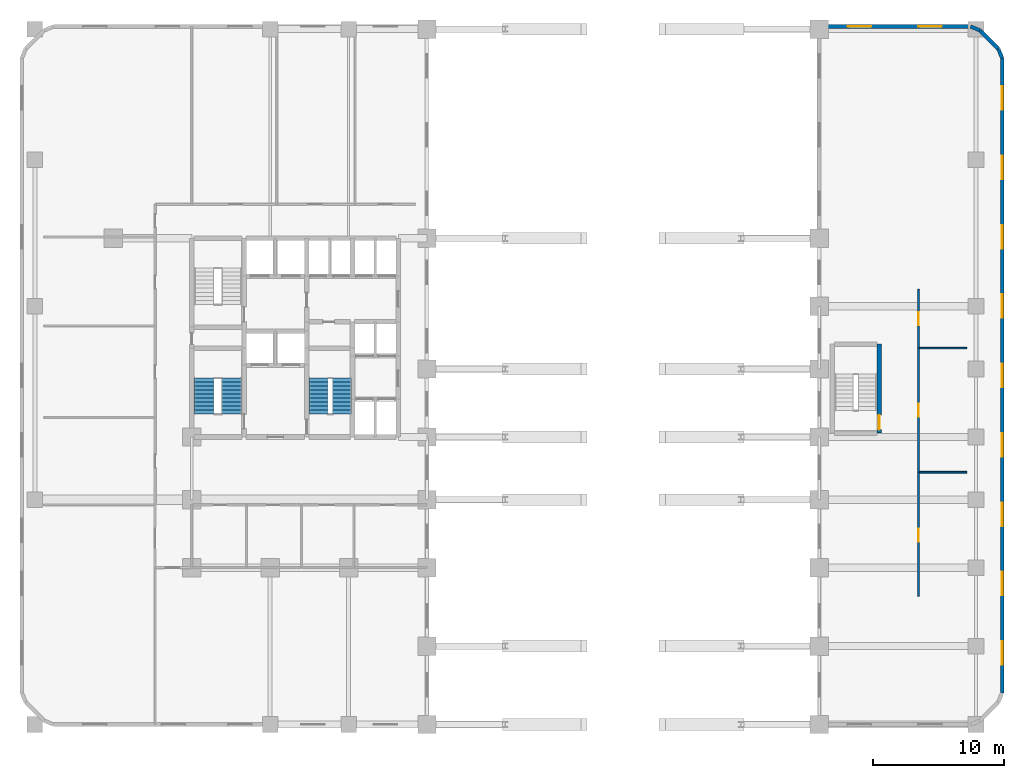
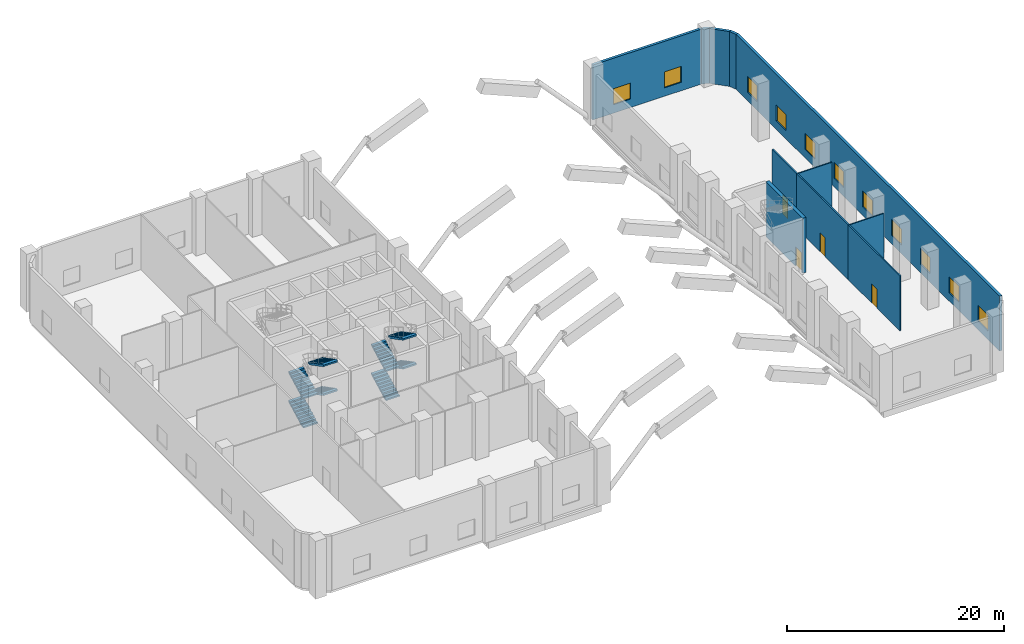
# One storey, part 7 of 10: 11 walls, 11 windows, 8 stair flights, 4 doors, 15 openings, 2 elements without a shape of their own.
"""IFC4 building model written with IfcOpenShell, lengths in metres."""

import ifcopenshell
import ifcopenshell.guid

model = None  # the IFC model being written
_history = None  # IfcOwnerHistory: only IFC2X3 demands one
_inside = {}  # id of a spatial element -> (the spatial element, [elements in it])
_under = {}  # id of a project, library or spatial element -> (it, [spatial elements below it])
_declared = {}  # id of a project -> (the project, [libraries it declares])
_typed = {}  # id of a type object -> (the type object, [elements of that type])
_made_of = {}  # id of a material, layer set ... -> (it, [elements and type objects made of it])


def new_model(schema):
    """Start an empty IFC model of exactly this schema.

    Asked for "IFC4X3", IfcOpenShell would pick the latest addendum, in which some entities
    have other attributes; the version numbers below select the first issue.
    IFC2X3 requires an IfcOwnerHistory on every rooted entity: one is made here for all.
    """
    global model, _history
    if schema == "IFC4X3":
        model = ifcopenshell.file(schema_version=(4, 3, 0, 0))
    else:
        model = ifcopenshell.file(schema=schema)
    _inside.clear()
    _under.clear()
    _declared.clear()
    _typed.clear()
    _made_of.clear()
    _history = None
    if model.schema == "IFC2X3":
        org = make("IfcOrganization", Name="unknown")
        user = make(
            "IfcPersonAndOrganization",
            ThePerson=make("IfcPerson", FamilyName="unknown"),
            TheOrganization=org,
        )
        app = make(
            "IfcApplication",
            ApplicationDeveloper=org,
            Version="unknown",
            ApplicationFullName="unknown",
            ApplicationIdentifier="unknown",
        )
        _history = make(
            "IfcOwnerHistory",
            OwningUser=user,
            OwningApplication=app,
            ChangeAction="ADDED",
            CreationDate=0,
        )
    return model


def make(cls, **values):
    """One entity of the class cls with the attributes given. An attribute that is None is left unset."""
    return model.create_entity(
        cls, **{name: value for name, value in values.items() if value is not None}
    )


def rooted(cls, **values):
    """An entity with a GlobalId (a new one), such as an element, a storey or a relation."""
    return make(cls, GlobalId=ifcopenshell.guid.new(), OwnerHistory=_history, **values)


def si_unit(unit_type, name, prefix=None):
    """IfcSIUnit, for example si_unit("LENGTHUNIT", "METRE", prefix="MILLI")."""
    return make("IfcSIUnit", UnitType=unit_type, Prefix=prefix, Name=name)


def assignment(units):
    """IfcUnitAssignment: the units of a project."""
    return None if units is None else make("IfcUnitAssignment", Units=units)


def point(xyz):
    """IfcCartesianPoint."""
    return None if xyz is None else make("IfcCartesianPoint", Coordinates=xyz)


def direction(xyz):
    """IfcDirection."""
    return None if xyz is None else make("IfcDirection", DirectionRatios=xyz)


def frame(location, z_axis=None, x_axis=None):
    """IfcAxis2Placement3D, a coordinate frame: its origin and axes. An axis left out is left unset."""
    return make(
        "IfcAxis2Placement3D",
        Location=point(location),
        Axis=direction(z_axis),
        RefDirection=direction(x_axis),
    )


def frame_2d(location, x_axis=None):
    """IfcAxis2Placement2D, a coordinate frame in the plane: its origin and x axis."""
    return make(
        "IfcAxis2Placement2D", Location=point(location), RefDirection=direction(x_axis)
    )


def origin():
    """The frame at (0, 0, 0) with its axes left unset."""
    return frame((0.0, 0.0, 0.0))


def place(relative_to, where):
    """IfcLocalPlacement: puts the frame where relative to a parent placement (None: the world)."""
    return make(
        "IfcLocalPlacement", PlacementRelTo=relative_to, RelativePlacement=where
    )


def context(
    kind, dimensions, precision=None, world=None, true_north=None, identifier=None
):
    """IfcGeometricRepresentationContext, for example the 3D "Model" context."""
    return make(
        "IfcGeometricRepresentationContext",
        ContextIdentifier=identifier,
        ContextType=kind,
        CoordinateSpaceDimension=dimensions,
        Precision=precision,
        WorldCoordinateSystem=world,
        TrueNorth=true_north,
    )


def subcontext(parent, identifier, kind, view, scale=None):
    """IfcGeometricRepresentationSubContext, for example "Body" below "Model"."""
    return make(
        "IfcGeometricRepresentationSubContext",
        ContextIdentifier=identifier,
        ContextType=kind,
        ParentContext=parent,
        TargetScale=scale,
        TargetView=view,
    )


def project(units=None, contexts=None):
    """IfcProject with its units and contexts."""
    return rooted(
        "IfcProject",
        Name="project",
        RepresentationContexts=contexts,
        UnitsInContext=assignment(units),
    )


def spatial(cls, under=None, at=None, **own):
    """A site, building, storey or space (cls), placed at a placement, below another one or the project."""
    s = rooted(cls, ObjectPlacement=at, **own)
    if under is not None:
        _under.setdefault(under.id(), (under, []))[1].append(s)
    return s


def polyline(points):
    """IfcPolyline through the points."""
    return make("IfcPolyline", Points=[point(p) for p in points])


def profile(cls, at=None, kind="AREA", **sizes):
    """A parametric profile (cls). Its sizes go by their IFC names, for example OverallWidth=200.0."""
    return make(cls, ProfileType=kind, Position=at, **sizes)


def rectangle(**sizes):
    """IfcRectangleProfileDef."""
    return profile("IfcRectangleProfileDef", **sizes)


def outline(outer, holes=None, kind="AREA"):
    """IfcArbitraryClosedProfileDef: a profile drawn as a closed curve; with holes, ...WithVoids."""
    if holes is None:
        return make("IfcArbitraryClosedProfileDef", ProfileType=kind, OuterCurve=outer)
    return make(
        "IfcArbitraryProfileDefWithVoids",
        ProfileType=kind,
        OuterCurve=outer,
        InnerCurves=holes,
    )


def extrude(swept, where, along, depth):
    """IfcExtrudedAreaSolid: the profile swept, set in the frame where, extruded along a direction by depth."""
    return make(
        "IfcExtrudedAreaSolid",
        SweptArea=swept,
        Position=where,
        ExtrudedDirection=direction(along),
        Depth=depth,
    )


def shape(context_of_items, identifier, shape_type, items):
    """IfcShapeRepresentation: the items that make up one representation, for example the "Body"."""
    return make(
        "IfcShapeRepresentation",
        ContextOfItems=context_of_items,
        RepresentationIdentifier=identifier,
        RepresentationType=shape_type,
        Items=items,
    )


def material(Name=None, Category=None):
    """IfcMaterial."""
    return make("IfcMaterial", Name=Name, Category=Category)


def layer(
    of_material, thickness, ventilated=None, Name=None, Category=None, Priority=None
):
    """IfcMaterialLayer: one layer of a wall or slab, of a material (None: an air gap)."""
    return make(
        "IfcMaterialLayer",
        Material=of_material,
        LayerThickness=thickness,
        IsVentilated=ventilated,
        Name=Name,
        Category=Category,
        Priority=Priority,
    )


def layer_set(layers, Name=None):
    """IfcMaterialLayerSet."""
    return make("IfcMaterialLayerSet", MaterialLayers=layers, LayerSetName=Name)


def made_of(thing, what):
    """Note that an element or type object is made of a material, layer set ...; save() writes the relation."""
    if what is not None:
        _made_of.setdefault(what.id(), (what, []))[1].append(thing)
    return thing


def type_object(cls, material=None, **own):
    """A type object (cls), such as IfcWallType, which elements share."""
    return made_of(rooted(cls, **own), material)


def element(
    cls,
    number,
    at=None,
    inside=None,
    cuts=None,
    type_object=None,
    material=None,
    context=None,
    identifier="Body",
    shape_type=None,
    held_by="IfcProductDefinitionShape",
    body=None,
    shapes=None,
    **own,
):
    """One element of the class cls, such as IfcWall. Its Tag is "e" and its number.

    at: its placement. inside: the storey or other place that contains it. cuts: it is an
    opening in that element (IfcRelVoidsElement). A single representation is given by context,
    identifier, shape_type and body (its items); several are given by shapes. held_by: the class
    of the entity that holds the representations. save() writes the other relations.
    """
    e = rooted(cls, Tag="e%d" % number, ObjectPlacement=at, **own)
    if body is not None:
        shapes = [shape(context, identifier, shape_type, body)]
    if shapes is not None:
        e.Representation = make(held_by, Representations=shapes)
    if inside is not None:
        _inside.setdefault(inside.id(), (inside, []))[1].append(e)
    if cuts is not None:
        rooted(
            "IfcRelVoidsElement", RelatingBuildingElement=cuts, RelatedOpeningElement=e
        )
    if type_object is not None:
        _typed.setdefault(type_object.id(), (type_object, []))[1].append(e)
    return made_of(e, material)


def fill(opening, filler):
    """IfcRelFillsElement: the door or window that sits in an opening."""
    return rooted(
        "IfcRelFillsElement",
        RelatingOpeningElement=opening,
        RelatedBuildingElement=filler,
    )


def aggregate(whole, parts):
    """IfcRelAggregates: a whole, such as a stair, and the parts it consists of."""
    return rooted("IfcRelAggregates", RelatingObject=whole, RelatedObjects=parts)


def save(model, path):
    """Write the relations noted so far, then the file.

    IfcRelAggregates (storeys below a building ...), IfcRelContainedInSpatialStructure (elements
    in a storey), IfcRelDefinesByType, IfcRelAssociatesMaterial and IfcRelDeclares: one each for
    every whole, place, type object, material and project.
    """
    for whole, parts in _under.values():
        aggregate(whole, parts)
    for where, things in _inside.values():
        rooted(
            "IfcRelContainedInSpatialStructure",
            RelatedElements=things,
            RelatingStructure=where,
        )
    for kind, things in _typed.values():
        rooted("IfcRelDefinesByType", RelatedObjects=things, RelatingType=kind)
    for what, things in _made_of.values():
        rooted("IfcRelAssociatesMaterial", RelatedObjects=things, RelatingMaterial=what)
    for by, libraries in _declared.values():
        rooted("IfcRelDeclares", RelatingContext=by, RelatedDefinitions=libraries)
    model.write(path)


model = new_model("IFC4")

# Units and contexts
model_context = context("Model", 3, precision=1e-05, world=origin(), true_north=direction((0.0, 1.0)))
body_context = subcontext(model_context, "Body", "Model", "MODEL_VIEW")
ifc_project = project(units=[si_unit("LENGTHUNIT", "METRE"), si_unit("AREAUNIT", "SQUARE_METRE"), si_unit("VOLUMEUNIT", "CUBIC_METRE"), si_unit("PLANEANGLEUNIT", "RADIAN"), si_unit("MASSUNIT", "GRAM", prefix="KILO")], contexts=[model_context])

# Site, building, storey
site_placement = place(None, origin())
site = spatial("IfcSite", under=ifc_project, at=site_placement, CompositionType="ELEMENT")
building_placement = place(site_placement, origin())
building = spatial("IfcBuilding", under=site, at=building_placement, Name="Keshet Zoharim Tower", CompositionType="ELEMENT")
storey_placement = place(building_placement, frame((0.0, 0.0, 6.5)))
storey = spatial("IfcBuildingStorey", under=building, at=storey_placement, Name="L01", CompositionType="ELEMENT", Elevation=6.5)

# Wall, opening, door
ifc_material_1 = material(Name="Gypsum Plasterboard", Category="gypsum")
ifc_layer_1 = layer(ifc_material_1, 0.14990234375)
ifc_layer_set_1 = layer_set([ifc_layer_1], Name="Gypsum Plasterboard")
wall_type_1 = type_object("IfcWallType", Name="WL-CLIN-150", PredefinedType="STANDARD", material=ifc_layer_set_1)
wall_1_placement = place(storey_placement, frame((70.60009765625, 10.5, 0.0), z_axis=(0.0, 0.0, 1.0), x_axis=(0.0, 1.0, 0.0)))
wall_1 = element("IfcWall", 1, at=wall_1_placement, inside=storey, type_object=wall_type_1, Name="L01 Interior Wall 044", PredefinedType="STANDARD", context=body_context, shape_type="SweptSolid", body=[
    extrude(rectangle(XDim=9.5, YDim=0.14990234375, at=frame_2d((4.75, 0.0))), origin(), (0.0, 0.0, 1.0), 6.169921875),
])
opening_1_placement = place(wall_1_placement, frame((4.178955078125, 0.0, 0.0)))
opening_1 = element("IfcOpeningElement", 2, at=opening_1_placement, cuts=wall_1, Name="Opening D-F310", PredefinedType="OPENING", context=body_context, shape_type="SweptSolid", body=[
    extrude(rectangle(XDim=1.0, YDim=2.14990234375, at=frame_2d((0.5, 1.074951171875))), frame((0.0, 0.0849609375, 0.0), z_axis=(0.0, -1.0, 0.0), x_axis=(1.0, 0.0, 0.0)), (0.0, 0.0, 1.0), 0.169921875),
])
ifc_material_2 = material(Name="Hardwood Timber", Category="wood")
door_type_1 = type_object("IfcDoorType", Name="DR-FD30-100", OperationType="NOTDEFINED", PredefinedType="DOOR", material=ifc_material_2)
door_1_placement = place(opening_1_placement, origin())
door_1 = element("IfcDoor", 3, at=door_1_placement, inside=storey, type_object=door_type_1, Name="L01 Specialist Consultation Room 2 Door", OperationType="SINGLE_SWING_RIGHT", OverallHeight=2.14990234375, OverallWidth=1.0, PredefinedType="DOOR", context=body_context, shape_type="SweptSolid", body=[
    extrude(rectangle(XDim=1.0, YDim=2.14990234375, at=frame_2d((0.5, 1.074951171875))), frame((0.0, 0.02490234375, 0.0), z_axis=(0.0, -1.0, 0.0), x_axis=(1.0, 0.0, 0.0)), (0.0, 0.0, 1.0), 0.050048828125),
])
fill(opening_1, door_1)

wall_2_placement = place(storey_placement, frame((70.60009765625, 20.0, 0.0), z_axis=(0.0, 0.0, 1.0), x_axis=(0.0, 1.0, 0.0)))
wall_2 = element("IfcWall", 4, at=wall_2_placement, inside=storey, type_object=wall_type_1, Name="L01 Interior Wall 045", PredefinedType="STANDARD", context=body_context, shape_type="SweptSolid", body=[
    extrude(rectangle(XDim=9.5, YDim=0.14990234375, at=frame_2d((4.75, 0.0))), origin(), (0.0, 0.0, 1.0), 6.169921875),
])
opening_2_placement = place(wall_2_placement, frame((4.22900390625, 0.0, 0.0)))
opening_2 = element("IfcOpeningElement", 5, at=opening_2_placement, cuts=wall_2, Name="Opening D-F310", PredefinedType="OPENING", context=body_context, shape_type="SweptSolid", body=[
    extrude(rectangle(XDim=1.0, YDim=2.14990234375, at=frame_2d((0.5, 1.074951171875))), frame((0.0, 0.0849609375, 0.0), z_axis=(0.0, -1.0, 0.0), x_axis=(1.0, 0.0, 0.0)), (0.0, 0.0, 1.0), 0.169921875),
])
door_2_placement = place(opening_2_placement, origin())
door_2 = element("IfcDoor", 6, at=door_2_placement, inside=storey, type_object=door_type_1, Name="L01 Clinical Pathology Room Door", OperationType="SINGLE_SWING_LEFT", OverallHeight=2.14990234375, OverallWidth=1.0, PredefinedType="DOOR", context=body_context, shape_type="SweptSolid", body=[
    extrude(rectangle(XDim=1.0, YDim=2.14990234375, at=frame_2d((0.5, 1.074951171875))), frame((0.0, 0.02490234375, 0.0), z_axis=(0.0, -1.0, 0.0), x_axis=(1.0, 0.0, 0.0)), (0.0, 0.0, 1.0), 0.050048828125),
])
fill(opening_2, door_2)

wall_3_placement = place(storey_placement, frame((70.60009765625, 29.5, 0.0), z_axis=(0.0, 0.0, 1.0), x_axis=(0.0, 1.0, 0.0)))
wall_3 = element("IfcWall", 7, at=wall_3_placement, inside=storey, type_object=wall_type_1, Name="L01 Interior Wall 046", PredefinedType="STANDARD", context=body_context, shape_type="SweptSolid", body=[
    extrude(rectangle(XDim=4.5, YDim=0.14990234375, at=frame_2d((2.25, 0.0))), origin(), (0.0, 0.0, 1.0), 6.169921875),
])
opening_3_placement = place(wall_3_placement, frame((1.72802734375, 0.0, 0.0)))
opening_3 = element("IfcOpeningElement", 8, at=opening_3_placement, cuts=wall_3, Name="Opening D-F310", PredefinedType="OPENING", context=body_context, shape_type="SweptSolid", body=[
    extrude(rectangle(XDim=1.0, YDim=2.14990234375, at=frame_2d((0.5, 1.074951171875))), frame((0.0, 0.0849609375, 0.0), z_axis=(0.0, -1.0, 0.0), x_axis=(1.0, 0.0, 0.0)), (0.0, 0.0, 1.0), 0.169921875),
])
door_3_placement = place(opening_3_placement, origin())
door_3 = element("IfcDoor", 9, at=door_3_placement, inside=storey, type_object=door_type_1, Name="L01 East Clinic Day-Care Hall Door", OperationType="SINGLE_SWING_RIGHT", OverallHeight=2.14990234375, OverallWidth=1.0, PredefinedType="DOOR", context=body_context, shape_type="SweptSolid", body=[
    extrude(rectangle(XDim=1.0, YDim=2.14990234375, at=frame_2d((0.5, 1.074951171875))), frame((0.0, 0.02490234375, 0.0), z_axis=(0.0, -1.0, 0.0), x_axis=(1.0, 0.0, 0.0)), (0.0, 0.0, 1.0), 0.050048828125),
])
fill(opening_3, door_3)

ifc_material_3 = material(Name="Concrete C60/75", Category="concrete")
ifc_layer_2 = layer(ifc_material_3, 0.35009765625)
ifc_layer_set_2 = layer_set([ifc_layer_2], Name="Concrete C60/75")
wall_type_2 = type_object("IfcWallType", Name="WL-CORE-350", PredefinedType="SHEAR", material=ifc_layer_set_2)
wall_4_placement = place(storey_placement, frame((67.60009765625, 23.0, 0.0), z_axis=(0.0, 0.0, 1.0), x_axis=(0.0, 1.0, 0.0)))
wall_4 = element("IfcWall", 10, at=wall_4_placement, inside=storey, type_object=wall_type_2, Name="L01 Core Shear Wall 043", PredefinedType="SHEAR", context=body_context, shape_type="SweptSolid", body=[
    extrude(rectangle(XDim=6.800048828125, YDim=0.35009765625, at=frame_2d((3.39990234375, 0.0))), origin(), (0.0, 0.0, 1.0), 6.169921875),
])
opening_4_placement = place(wall_4_placement, frame((0.264892578125, 0.0, 0.0)))
opening_4 = element("IfcOpeningElement", 11, at=opening_4_placement, cuts=wall_4, Name="Opening D-F611", PredefinedType="OPENING", context=body_context, shape_type="SweptSolid", body=[
    extrude(rectangle(XDim=1.10009765625, YDim=2.14990234375, at=frame_2d((0.550048828125, 1.074951171875))), frame((0.0, 0.18505859375, 0.0), z_axis=(0.0, -1.0, 0.0), x_axis=(1.0, 0.0, 0.0)), (0.0, 0.0, 1.0), 0.3701171875),
])
door_type_2 = type_object("IfcDoorType", Name="DR-FD60-110", OperationType="NOTDEFINED", PredefinedType="DOOR", material=ifc_material_2)
door_4_placement = place(opening_4_placement, origin())
door_4 = element("IfcDoor", 12, at=door_4_placement, inside=storey, type_object=door_type_2, Name="L01 East Exit Stair ST-04 Door", OperationType="SINGLE_SWING_LEFT", OverallHeight=2.14990234375, OverallWidth=1.10009765625, PredefinedType="DOOR", context=body_context, shape_type="SweptSolid", body=[
    extrude(rectangle(XDim=1.10009765625, YDim=2.14990234375, at=frame_2d((0.550048828125, 1.074951171875))), frame((0.0, 0.02490234375, 0.0), z_axis=(0.0, -1.0, 0.0), x_axis=(1.0, 0.0, 0.0)), (0.0, 0.0, 1.0), 0.050048828125),
])
fill(opening_4, door_4)

# Walls
ifc_material_4 = material(Name="Concrete C50/60 precast", Category="concrete")
ifc_layer_3 = layer(ifc_material_4, 0.280029296875)
ifc_layer_set_3 = layer_set([ifc_layer_3], Name="Concrete C50/60 precast")
wall_type_3 = type_object("IfcWallType", Name="WL-EXT-280", PredefinedType="STANDARD", material=ifc_layer_set_3)
wall_5_placement = place(storey_placement, frame((74.5859375, 54.10009765625, 0.0), z_axis=(0.0, 0.0, 1.0), x_axis=(0.923717339373, -0.383074766777, 0.0)))
element("IfcWall", 13, at=wall_5_placement, inside=storey, type_object=wall_type_3, Name="L01 Podium Precast Facade Wall 11", PredefinedType="STANDARD", context=body_context, shape_type="SweptSolid", body=[
    extrude(rectangle(XDim=0.765380859375, YDim=0.280029296875, at=frame_2d((0.3828125, 0.0))), origin(), (0.0, 0.0, 1.0), 6.169921875),
])
wall_6_placement = place(storey_placement, frame((75.29296875, 53.806884765625, 0.0), z_axis=(0.0, 0.0, 1.0), x_axis=(0.707167825498, -0.707045731605, 0.0)))
element("IfcWall", 14, at=wall_6_placement, inside=storey, type_object=wall_type_3, Name="L01 Podium Precast Facade Wall 12", PredefinedType="STANDARD", context=body_context, shape_type="SweptSolid", body=[
    extrude(rectangle(XDim=1.99951171875, YDim=0.280029296875, at=frame_2d((0.999755859375, 0.0))), origin(), (0.0, 0.0, 1.0), 6.169921875),
])
wall_7_placement = place(storey_placement, frame((76.70703125, 52.39306640625, 0.0), z_axis=(0.0, 0.0, 1.0), x_axis=(0.382802560388, -0.92383017907, 0.0)))
element("IfcWall", 15, at=wall_7_placement, inside=storey, type_object=wall_type_3, Name="L01 Podium Precast Facade Wall 13", PredefinedType="STANDARD", context=body_context, shape_type="SweptSolid", body=[
    extrude(rectangle(XDim=0.765380859375, YDim=0.280029296875, at=frame_2d((0.3828125, 0.0))), origin(), (0.0, 0.0, 1.0), 6.169921875),
])

# Wall, openings, windows
wall_8_placement = place(storey_placement, frame((77.0, 51.68603515625, 0.0), z_axis=(0.0, 0.0, 1.0), x_axis=(0.0, -1.0, 0.0)))
wall_8 = element("IfcWall", 16, at=wall_8_placement, inside=storey, type_object=wall_type_3, Name="L01 Podium Precast Facade Wall 14", PredefinedType="STANDARD", context=body_context, shape_type="SweptSolid", body=[
    extrude(rectangle(XDim=48.572021484375, YDim=0.280029296875, at=frame_2d((24.2861328125, 0.0))), origin(), (0.0, 0.0, 1.0), 6.169921875),
])
opening_5_placement = place(wall_8_placement, frame((2.154052734375, 0.0, 0.949951171875)))
opening_5 = element("IfcOpeningElement", 17, at=opening_5_placement, cuts=wall_8, Name="Opening W-180", PredefinedType="OPENING", context=body_context, shape_type="SweptSolid", body=[
    extrude(rectangle(XDim=1.800048828125, YDim=1.800048828125, at=frame_2d((0.89990234375, 0.89990234375))), frame((0.0, 0.14990234375, 0.0), z_axis=(0.0, -1.0, 0.0), x_axis=(1.0, 0.0, 0.0)), (0.0, 0.0, 1.0), 0.300048828125),
])
opening_6_placement = place(wall_8_placement, frame((7.4619140625, 0.0, 0.949951171875)))
opening_6 = element("IfcOpeningElement", 18, at=opening_6_placement, cuts=wall_8, Name="Opening W-180", PredefinedType="OPENING", context=body_context, shape_type="SweptSolid", body=[
    extrude(rectangle(XDim=1.800048828125, YDim=1.800048828125, at=frame_2d((0.89990234375, 0.89990234375))), frame((0.0, 0.14990234375, 0.0), z_axis=(0.0, -1.0, 0.0), x_axis=(1.0, 0.0, 0.0)), (0.0, 0.0, 1.0), 0.300048828125),
])
opening_7_placement = place(wall_8_placement, frame((12.77001953125, 0.0, 0.949951171875)))
opening_7 = element("IfcOpeningElement", 19, at=opening_7_placement, cuts=wall_8, Name="Opening W-180", PredefinedType="OPENING", context=body_context, shape_type="SweptSolid", body=[
    extrude(rectangle(XDim=1.800048828125, YDim=1.800048828125, at=frame_2d((0.89990234375, 0.89990234375))), frame((0.0, 0.14990234375, 0.0), z_axis=(0.0, -1.0, 0.0), x_axis=(1.0, 0.0, 0.0)), (0.0, 0.0, 1.0), 0.300048828125),
])
opening_8_placement = place(wall_8_placement, frame((18.077880859375, 0.0, 0.949951171875)))
opening_8 = element("IfcOpeningElement", 20, at=opening_8_placement, cuts=wall_8, Name="Opening W-180", PredefinedType="OPENING", context=body_context, shape_type="SweptSolid", body=[
    extrude(rectangle(XDim=1.800048828125, YDim=1.800048828125, at=frame_2d((0.89990234375, 0.89990234375))), frame((0.0, 0.14990234375, 0.0), z_axis=(0.0, -1.0, 0.0), x_axis=(1.0, 0.0, 0.0)), (0.0, 0.0, 1.0), 0.300048828125),
])
opening_9_placement = place(wall_8_placement, frame((23.385986328125, 0.0, 0.949951171875)))
opening_9 = element("IfcOpeningElement", 21, at=opening_9_placement, cuts=wall_8, Name="Opening W-180", PredefinedType="OPENING", context=body_context, shape_type="SweptSolid", body=[
    extrude(rectangle(XDim=1.800048828125, YDim=1.800048828125, at=frame_2d((0.89990234375, 0.89990234375))), frame((0.0, 0.14990234375, 0.0), z_axis=(0.0, -1.0, 0.0), x_axis=(1.0, 0.0, 0.0)), (0.0, 0.0, 1.0), 0.300048828125),
])
opening_10_placement = place(wall_8_placement, frame((28.694091796875, 0.0, 0.949951171875)))
opening_10 = element("IfcOpeningElement", 22, at=opening_10_placement, cuts=wall_8, Name="Opening W-180", PredefinedType="OPENING", context=body_context, shape_type="SweptSolid", body=[
    extrude(rectangle(XDim=1.800048828125, YDim=1.800048828125, at=frame_2d((0.89990234375, 0.89990234375))), frame((0.0, 0.14990234375, 0.0), z_axis=(0.0, -1.0, 0.0), x_axis=(1.0, 0.0, 0.0)), (0.0, 0.0, 1.0), 0.300048828125),
])
opening_11_placement = place(wall_8_placement, frame((34.001953125, 0.0, 0.949951171875)))
opening_11 = element("IfcOpeningElement", 23, at=opening_11_placement, cuts=wall_8, Name="Opening W-180", PredefinedType="OPENING", context=body_context, shape_type="SweptSolid", body=[
    extrude(rectangle(XDim=1.800048828125, YDim=1.800048828125, at=frame_2d((0.89990234375, 0.89990234375))), frame((0.0, 0.14990234375, 0.0), z_axis=(0.0, -1.0, 0.0), x_axis=(1.0, 0.0, 0.0)), (0.0, 0.0, 1.0), 0.300048828125),
])
opening_12_placement = place(wall_8_placement, frame((39.31005859375, 0.0, 0.949951171875)))
opening_12 = element("IfcOpeningElement", 24, at=opening_12_placement, cuts=wall_8, Name="Opening W-180", PredefinedType="OPENING", context=body_context, shape_type="SweptSolid", body=[
    extrude(rectangle(XDim=1.800048828125, YDim=1.800048828125, at=frame_2d((0.89990234375, 0.89990234375))), frame((0.0, 0.14990234375, 0.0), z_axis=(0.0, -1.0, 0.0), x_axis=(1.0, 0.0, 0.0)), (0.0, 0.0, 1.0), 0.300048828125),
])
opening_13_placement = place(wall_8_placement, frame((44.617919921875, 0.0, 0.949951171875)))
opening_13 = element("IfcOpeningElement", 25, at=opening_13_placement, cuts=wall_8, Name="Opening W-180", PredefinedType="OPENING", context=body_context, shape_type="SweptSolid", body=[
    extrude(rectangle(XDim=1.800048828125, YDim=1.800048828125, at=frame_2d((0.89990234375, 0.89990234375))), frame((0.0, 0.14990234375, 0.0), z_axis=(0.0, -1.0, 0.0), x_axis=(1.0, 0.0, 0.0)), (0.0, 0.0, 1.0), 0.300048828125),
])
ifc_material_5 = material(Name="Insulated Low-E Clear Glass", Category="glass")
window_type = type_object("IfcWindowType", Name="WN-CLN-180", PartitioningType="DOUBLE_PANEL_VERTICAL", PredefinedType="WINDOW", material=ifc_material_5)
window_1_placement = place(opening_5_placement, origin())
window_1 = element("IfcWindow", 26, at=window_1_placement, inside=storey, type_object=window_type, Name="L01 Clinic Facade Window 28", OverallHeight=1.800048828125, OverallWidth=1.800048828125, PartitioningType="DOUBLE_PANEL_VERTICAL", PredefinedType="WINDOW", context=body_context, shape_type="SweptSolid", body=[
    extrude(rectangle(XDim=1.800048828125, YDim=1.800048828125, at=frame_2d((0.89990234375, 0.89990234375))), frame((0.0, 0.030029296875, 0.0), z_axis=(0.0, -1.0, 0.0), x_axis=(1.0, 0.0, 0.0)), (0.0, 0.0, 1.0), 0.06005859375),
])
fill(opening_5, window_1)
window_2_placement = place(opening_6_placement, origin())
window_2 = element("IfcWindow", 27, at=window_2_placement, inside=storey, type_object=window_type, Name="L01 Clinic Facade Window 29", OverallHeight=1.800048828125, OverallWidth=1.800048828125, PartitioningType="DOUBLE_PANEL_VERTICAL", PredefinedType="WINDOW", context=body_context, shape_type="SweptSolid", body=[
    extrude(rectangle(XDim=1.800048828125, YDim=1.800048828125, at=frame_2d((0.89990234375, 0.89990234375))), frame((0.0, 0.030029296875, 0.0), z_axis=(0.0, -1.0, 0.0), x_axis=(1.0, 0.0, 0.0)), (0.0, 0.0, 1.0), 0.06005859375),
])
fill(opening_6, window_2)
window_3_placement = place(opening_7_placement, origin())
window_3 = element("IfcWindow", 28, at=window_3_placement, inside=storey, type_object=window_type, Name="L01 Clinic Facade Window 30", OverallHeight=1.800048828125, OverallWidth=1.800048828125, PartitioningType="DOUBLE_PANEL_VERTICAL", PredefinedType="WINDOW", context=body_context, shape_type="SweptSolid", body=[
    extrude(rectangle(XDim=1.800048828125, YDim=1.800048828125, at=frame_2d((0.89990234375, 0.89990234375))), frame((0.0, 0.030029296875, 0.0), z_axis=(0.0, -1.0, 0.0), x_axis=(1.0, 0.0, 0.0)), (0.0, 0.0, 1.0), 0.06005859375),
])
fill(opening_7, window_3)
window_4_placement = place(opening_8_placement, origin())
window_4 = element("IfcWindow", 29, at=window_4_placement, inside=storey, type_object=window_type, Name="L01 Clinic Facade Window 31", OverallHeight=1.800048828125, OverallWidth=1.800048828125, PartitioningType="DOUBLE_PANEL_VERTICAL", PredefinedType="WINDOW", context=body_context, shape_type="SweptSolid", body=[
    extrude(rectangle(XDim=1.800048828125, YDim=1.800048828125, at=frame_2d((0.89990234375, 0.89990234375))), frame((0.0, 0.030029296875, 0.0), z_axis=(0.0, -1.0, 0.0), x_axis=(1.0, 0.0, 0.0)), (0.0, 0.0, 1.0), 0.06005859375),
])
fill(opening_8, window_4)
window_5_placement = place(opening_9_placement, origin())
window_5 = element("IfcWindow", 30, at=window_5_placement, inside=storey, type_object=window_type, Name="L01 Clinic Facade Window 32", OverallHeight=1.800048828125, OverallWidth=1.800048828125, PartitioningType="DOUBLE_PANEL_VERTICAL", PredefinedType="WINDOW", context=body_context, shape_type="SweptSolid", body=[
    extrude(rectangle(XDim=1.800048828125, YDim=1.800048828125, at=frame_2d((0.89990234375, 0.89990234375))), frame((0.0, 0.030029296875, 0.0), z_axis=(0.0, -1.0, 0.0), x_axis=(1.0, 0.0, 0.0)), (0.0, 0.0, 1.0), 0.06005859375),
])
fill(opening_9, window_5)
window_6_placement = place(opening_10_placement, origin())
window_6 = element("IfcWindow", 31, at=window_6_placement, inside=storey, type_object=window_type, Name="L01 Clinic Facade Window 33", OverallHeight=1.800048828125, OverallWidth=1.800048828125, PartitioningType="DOUBLE_PANEL_VERTICAL", PredefinedType="WINDOW", context=body_context, shape_type="SweptSolid", body=[
    extrude(rectangle(XDim=1.800048828125, YDim=1.800048828125, at=frame_2d((0.89990234375, 0.89990234375))), frame((0.0, 0.030029296875, 0.0), z_axis=(0.0, -1.0, 0.0), x_axis=(1.0, 0.0, 0.0)), (0.0, 0.0, 1.0), 0.06005859375),
])
fill(opening_10, window_6)
window_7_placement = place(opening_11_placement, origin())
window_7 = element("IfcWindow", 32, at=window_7_placement, inside=storey, type_object=window_type, Name="L01 Clinic Facade Window 34", OverallHeight=1.800048828125, OverallWidth=1.800048828125, PartitioningType="DOUBLE_PANEL_VERTICAL", PredefinedType="WINDOW", context=body_context, shape_type="SweptSolid", body=[
    extrude(rectangle(XDim=1.800048828125, YDim=1.800048828125, at=frame_2d((0.89990234375, 0.89990234375))), frame((0.0, 0.030029296875, 0.0), z_axis=(0.0, -1.0, 0.0), x_axis=(1.0, 0.0, 0.0)), (0.0, 0.0, 1.0), 0.06005859375),
])
fill(opening_11, window_7)
window_8_placement = place(opening_12_placement, origin())
window_8 = element("IfcWindow", 33, at=window_8_placement, inside=storey, type_object=window_type, Name="L01 Clinic Facade Window 35", OverallHeight=1.800048828125, OverallWidth=1.800048828125, PartitioningType="DOUBLE_PANEL_VERTICAL", PredefinedType="WINDOW", context=body_context, shape_type="SweptSolid", body=[
    extrude(rectangle(XDim=1.800048828125, YDim=1.800048828125, at=frame_2d((0.89990234375, 0.89990234375))), frame((0.0, 0.030029296875, 0.0), z_axis=(0.0, -1.0, 0.0), x_axis=(1.0, 0.0, 0.0)), (0.0, 0.0, 1.0), 0.06005859375),
])
fill(opening_12, window_8)
window_9_placement = place(opening_13_placement, origin())
window_9 = element("IfcWindow", 34, at=window_9_placement, inside=storey, type_object=window_type, Name="L01 Clinic Facade Window 36", OverallHeight=1.800048828125, OverallWidth=1.800048828125, PartitioningType="DOUBLE_PANEL_VERTICAL", PredefinedType="WINDOW", context=body_context, shape_type="SweptSolid", body=[
    extrude(rectangle(XDim=1.800048828125, YDim=1.800048828125, at=frame_2d((0.89990234375, 0.89990234375))), frame((0.0, 0.030029296875, 0.0), z_axis=(0.0, -1.0, 0.0), x_axis=(1.0, 0.0, 0.0)), (0.0, 0.0, 1.0), 0.06005859375),
])
fill(opening_13, window_9)

wall_9_placement = place(storey_placement, frame((63.0, 54.10009765625, 0.0), z_axis=(0.0, 0.0, 1.0), x_axis=(1.0, 0.0, 0.0)))
wall_9 = element("IfcWall", 35, at=wall_9_placement, inside=storey, type_object=wall_type_3, Name="L01 Podium Precast Facade Wall 20", PredefinedType="STANDARD", context=body_context, shape_type="SweptSolid", body=[
    extrude(rectangle(XDim=11.5859375, YDim=0.280029296875, at=frame_2d((5.79296875, 0.0))), origin(), (0.0, 0.0, 1.0), 6.169921875),
])
opening_14_placement = place(wall_9_placement, frame((2.196044921875, 0.0, 0.949951171875)))
opening_14 = element("IfcOpeningElement", 36, at=opening_14_placement, cuts=wall_9, Name="Opening W-180", PredefinedType="OPENING", context=body_context, shape_type="SweptSolid", body=[
    extrude(rectangle(XDim=1.800048828125, YDim=1.800048828125, at=frame_2d((0.89990234375, 0.89990234375))), frame((0.0, 0.14990234375, 0.0), z_axis=(0.0, -1.0, 0.0), x_axis=(1.0, 0.0, 0.0)), (0.0, 0.0, 1.0), 0.300048828125),
])
opening_15_placement = place(wall_9_placement, frame((7.589111328125, 0.0, 0.949951171875)))
opening_15 = element("IfcOpeningElement", 37, at=opening_15_placement, cuts=wall_9, Name="Opening W-180", PredefinedType="OPENING", context=body_context, shape_type="SweptSolid", body=[
    extrude(rectangle(XDim=1.800048828125, YDim=1.800048828125, at=frame_2d((0.89990234375, 0.89990234375))), frame((0.0, 0.14990234375, 0.0), z_axis=(0.0, -1.0, 0.0), x_axis=(1.0, 0.0, 0.0)), (0.0, 0.0, 1.0), 0.300048828125),
])
window_10_placement = place(opening_14_placement, origin())
window_10 = element("IfcWindow", 38, at=window_10_placement, inside=storey, type_object=window_type, Name="L01 Clinic Facade Window 49", OverallHeight=1.800048828125, OverallWidth=1.800048828125, PartitioningType="DOUBLE_PANEL_VERTICAL", PredefinedType="WINDOW", context=body_context, shape_type="SweptSolid", body=[
    extrude(rectangle(XDim=1.800048828125, YDim=1.800048828125, at=frame_2d((0.89990234375, 0.89990234375))), frame((0.0, 0.030029296875, 0.0), z_axis=(0.0, -1.0, 0.0), x_axis=(1.0, 0.0, 0.0)), (0.0, 0.0, 1.0), 0.06005859375),
])
fill(opening_14, window_10)
window_11_placement = place(opening_15_placement, origin())
window_11 = element("IfcWindow", 39, at=window_11_placement, inside=storey, type_object=window_type, Name="L01 Clinic Facade Window 50", OverallHeight=1.800048828125, OverallWidth=1.800048828125, PartitioningType="DOUBLE_PANEL_VERTICAL", PredefinedType="WINDOW", context=body_context, shape_type="SweptSolid", body=[
    extrude(rectangle(XDim=1.800048828125, YDim=1.800048828125, at=frame_2d((0.89990234375, 0.89990234375))), frame((0.0, 0.030029296875, 0.0), z_axis=(0.0, -1.0, 0.0), x_axis=(1.0, 0.0, 0.0)), (0.0, 0.0, 1.0), 0.06005859375),
])
fill(opening_15, window_11)

# Walls
ifc_layer_4 = layer(ifc_material_1, 0.1201171875)
ifc_layer_set_4 = layer_set([ifc_layer_4], Name="Gypsum Plasterboard")
wall_type_4 = type_object("IfcWallType", Name="WL-PART-120", PredefinedType="PARTITIONING", material=ifc_layer_set_4)
for number, where, z_axis, x_axis, name in (
    (40, (70.659912109375, 20.0, 0.0), (0.0, 0.0, 1.0), (1.0, 0.0, 0.0), "L01 Interior Wall 055"),
    (41, (70.659912109375, 29.5, 0.0), (0.0, 0.0, 1.0), (1.0, 0.0, 0.0), "L01 Interior Wall 067"),
):
    element("IfcWall", number, at=place(storey_placement, frame(where, z_axis=z_axis, x_axis=x_axis)), inside=storey, type_object=wall_type_4, Name=name, PredefinedType="PARTITIONING", context=body_context, shape_type="SweptSolid", body=[
        extrude(rectangle(XDim=3.6201171875, YDim=0.1201171875, at=frame_2d((1.81005859375, 0.0))), origin(), (0.0, 0.0, 1.0), 6.169921875),
    ])

# Stair, stair flights
ifc_material_6 = material(Name="Concrete C50/60", Category="concrete")
stair_type = type_object("IfcStairType", Name="STR-POD-135", PredefinedType="HALF_TURN_STAIR", material=ifc_material_6)
stair_1_placement = place(storey_placement, origin())
stair_1 = element("IfcStair", 42, at=stair_1_placement, inside=storey, type_object=stair_type, Name="L01 Enclosed Exit Stair ST-01", PredefinedType="HALF_TURN_STAIR")
stair_flight_type_1 = type_object("IfcStairFlightType", Name="FLT-PRE-135", PredefinedType="STRAIGHT", material=ifc_material_6)
stair_flight_1_placement = place(storey_placement, frame((15.945068359375, 24.43994140625, 0.0), z_axis=(0.0, 0.0, 1.0), x_axis=(0.0, 1.0, 0.0)))
stair_flight_1 = element("IfcStairFlight", 43, at=stair_flight_1_placement, type_object=stair_flight_type_1, Name="ST-01 flight 1", NumberOfRisers=10, NumberOfTreads=9, PredefinedType="STRAIGHT", RiserHeight=0.1625, TreadLength=0.31, context=body_context, shape_type="SweptSolid", body=[
    extrude(outline(polyline([(0.0, 0.0), (0.0, 0.16259765625), (0.31005859375, 0.16259765625), (0.31005859375, 0.324951171875), (0.6201171875, 0.324951171875), (0.6201171875, 0.487548828125), (0.929931640625, 0.487548828125), (0.929931640625, 0.64990234375), (1.239990234375, 0.64990234375), (1.239990234375, 0.8125), (1.550048828125, 0.8125), (1.550048828125, 0.97509765625), (1.860107421875, 0.97509765625), (1.860107421875, 1.137451171875), (2.169921875, 1.137451171875), (2.169921875, 1.300048828125), (2.47998046875, 1.300048828125), (2.47998046875, 1.46240234375), (2.7900390625, 1.46240234375), (2.7900390625, 1.625), (2.7900390625, 1.281982421875), (0.344482421875, 0.0), (0.0, 0.0)])), frame((0.0, 0.76513671875, 0.0), z_axis=(0.0, -1.0, 0.0), x_axis=(1.0, 0.0, 0.0)), (0.0, 0.0, 1.0), 1.530029296875),
])
stair_flight_2_placement = place(storey_placement, frame((18.054931640625, 27.22998046875, 1.625), z_axis=(0.0, 0.0, 1.0), x_axis=(0.0, -1.0, 0.0)))
stair_flight_2 = element("IfcStairFlight", 44, at=stair_flight_2_placement, type_object=stair_flight_type_1, Name="ST-01 flight 2", NumberOfRisers=10, NumberOfTreads=9, PredefinedType="STRAIGHT", RiserHeight=0.1625, TreadLength=0.31, context=body_context, shape_type="SweptSolid", body=[
    extrude(outline(polyline([(0.0, 0.0), (0.0, 0.16259765625), (0.31005859375, 0.16259765625), (0.31005859375, 0.324951171875), (0.6201171875, 0.324951171875), (0.6201171875, 0.487548828125), (0.929931640625, 0.487548828125), (0.929931640625, 0.64990234375), (1.239990234375, 0.64990234375), (1.239990234375, 0.8125), (1.550048828125, 0.8125), (1.550048828125, 0.97509765625), (1.860107421875, 0.97509765625), (1.860107421875, 1.137451171875), (2.169921875, 1.137451171875), (2.169921875, 1.300048828125), (2.47998046875, 1.300048828125), (2.47998046875, 1.46240234375), (2.7900390625, 1.46240234375), (2.7900390625, 1.625), (2.7900390625, 1.281982421875), (0.344482421875, 0.0), (0.0, 0.0)])), frame((0.0, 0.76513671875, 0.0), z_axis=(0.0, -1.0, 0.0), x_axis=(1.0, 0.0, 0.0)), (0.0, 0.0, 1.0), 1.530029296875),
])
stair_flight_3_placement = place(storey_placement, frame((15.945068359375, 24.43994140625, 3.25), z_axis=(0.0, 0.0, 1.0), x_axis=(0.0, 1.0, 0.0)))
stair_flight_3 = element("IfcStairFlight", 45, at=stair_flight_3_placement, type_object=stair_flight_type_1, Name="ST-01 flight 3", NumberOfRisers=10, NumberOfTreads=9, PredefinedType="STRAIGHT", RiserHeight=0.1625, TreadLength=0.31, context=body_context, shape_type="SweptSolid", body=[
    extrude(outline(polyline([(0.0, 0.0), (0.0, 0.16259765625), (0.31005859375, 0.16259765625), (0.31005859375, 0.324951171875), (0.6201171875, 0.324951171875), (0.6201171875, 0.487548828125), (0.929931640625, 0.487548828125), (0.929931640625, 0.64990234375), (1.239990234375, 0.64990234375), (1.239990234375, 0.8125), (1.550048828125, 0.8125), (1.550048828125, 0.97509765625), (1.860107421875, 0.97509765625), (1.860107421875, 1.137451171875), (2.169921875, 1.137451171875), (2.169921875, 1.300048828125), (2.47998046875, 1.300048828125), (2.47998046875, 1.46240234375), (2.7900390625, 1.46240234375), (2.7900390625, 1.625), (2.7900390625, 1.281982421875), (0.344482421875, 0.0), (0.0, 0.0)])), frame((0.0, 0.76513671875, 0.0), z_axis=(0.0, -1.0, 0.0), x_axis=(1.0, 0.0, 0.0)), (0.0, 0.0, 1.0), 1.530029296875),
])
stair_flight_4_placement = place(storey_placement, frame((18.054931640625, 27.22998046875, 4.875), z_axis=(0.0, 0.0, 1.0), x_axis=(0.0, -1.0, 0.0)))
stair_flight_4 = element("IfcStairFlight", 46, at=stair_flight_4_placement, type_object=stair_flight_type_1, Name="ST-01 flight 4", NumberOfRisers=10, NumberOfTreads=9, PredefinedType="STRAIGHT", RiserHeight=0.1625, TreadLength=0.31, context=body_context, shape_type="SweptSolid", body=[
    extrude(outline(polyline([(0.0, 0.0), (0.0, 0.16259765625), (0.31005859375, 0.16259765625), (0.31005859375, 0.324951171875), (0.6201171875, 0.324951171875), (0.6201171875, 0.487548828125), (0.929931640625, 0.487548828125), (0.929931640625, 0.64990234375), (1.239990234375, 0.64990234375), (1.239990234375, 0.8125), (1.550048828125, 0.8125), (1.550048828125, 0.97509765625), (1.860107421875, 0.97509765625), (1.860107421875, 1.137451171875), (2.169921875, 1.137451171875), (2.169921875, 1.300048828125), (2.47998046875, 1.300048828125), (2.47998046875, 1.46240234375), (2.7900390625, 1.46240234375), (2.7900390625, 1.625), (2.7900390625, 1.281982421875), (0.344482421875, 0.0), (0.0, 0.0)])), frame((0.0, 0.76513671875, 0.0), z_axis=(0.0, -1.0, 0.0), x_axis=(1.0, 0.0, 0.0)), (0.0, 0.0, 1.0), 1.530029296875),
])
aggregate(stair_1, [stair_flight_1, stair_flight_2, stair_flight_3, stair_flight_4])

stair_2_placement = place(storey_placement, origin())
stair_2 = element("IfcStair", 47, at=stair_2_placement, inside=storey, type_object=stair_type, Name="L01 Enclosed Exit Stair ST-03", PredefinedType="HALF_TURN_STAIR")
stair_flight_type_2 = type_object("IfcStairFlightType", Name="FLT-PRE-144", PredefinedType="STRAIGHT", material=ifc_material_6)
stair_flight_5_placement = place(storey_placement, frame((24.699951171875, 24.43994140625, 0.0), z_axis=(0.0, 0.0, 1.0), x_axis=(0.0, 1.0, 0.0)))
stair_flight_5 = element("IfcStairFlight", 48, at=stair_flight_5_placement, type_object=stair_flight_type_2, Name="ST-03 flight 1", NumberOfRisers=10, NumberOfTreads=9, PredefinedType="STRAIGHT", RiserHeight=0.1625, TreadLength=0.31, context=body_context, shape_type="SweptSolid", body=[
    extrude(outline(polyline([(0.0, 0.0), (0.0, 0.16259765625), (0.31005859375, 0.16259765625), (0.31005859375, 0.324951171875), (0.6201171875, 0.324951171875), (0.6201171875, 0.487548828125), (0.929931640625, 0.487548828125), (0.929931640625, 0.64990234375), (1.239990234375, 0.64990234375), (1.239990234375, 0.8125), (1.550048828125, 0.8125), (1.550048828125, 0.97509765625), (1.860107421875, 0.97509765625), (1.860107421875, 1.137451171875), (2.169921875, 1.137451171875), (2.169921875, 1.300048828125), (2.47998046875, 1.300048828125), (2.47998046875, 1.46240234375), (2.7900390625, 1.46240234375), (2.7900390625, 1.625), (2.7900390625, 1.281982421875), (0.344482421875, 0.0), (0.0, 0.0)])), frame((0.0, 0.719970703125, 0.0), z_axis=(0.0, -1.0, 0.0), x_axis=(1.0, 0.0, 0.0)), (0.0, 0.0, 1.0), 1.43994140625),
])
stair_flight_6_placement = place(storey_placement, frame((26.5, 27.22998046875, 1.625), z_axis=(0.0, 0.0, 1.0), x_axis=(0.0, -1.0, 0.0)))
stair_flight_6 = element("IfcStairFlight", 49, at=stair_flight_6_placement, type_object=stair_flight_type_2, Name="ST-03 flight 2", NumberOfRisers=10, NumberOfTreads=9, PredefinedType="STRAIGHT", RiserHeight=0.1625, TreadLength=0.31, context=body_context, shape_type="SweptSolid", body=[
    extrude(outline(polyline([(0.0, 0.0), (0.0, 0.16259765625), (0.31005859375, 0.16259765625), (0.31005859375, 0.324951171875), (0.6201171875, 0.324951171875), (0.6201171875, 0.487548828125), (0.929931640625, 0.487548828125), (0.929931640625, 0.64990234375), (1.239990234375, 0.64990234375), (1.239990234375, 0.8125), (1.550048828125, 0.8125), (1.550048828125, 0.97509765625), (1.860107421875, 0.97509765625), (1.860107421875, 1.137451171875), (2.169921875, 1.137451171875), (2.169921875, 1.300048828125), (2.47998046875, 1.300048828125), (2.47998046875, 1.46240234375), (2.7900390625, 1.46240234375), (2.7900390625, 1.625), (2.7900390625, 1.281982421875), (0.344482421875, 0.0), (0.0, 0.0)])), frame((0.0, 0.719970703125, 0.0), z_axis=(0.0, -1.0, 0.0), x_axis=(1.0, 0.0, 0.0)), (0.0, 0.0, 1.0), 1.43994140625),
])
stair_flight_7_placement = place(storey_placement, frame((24.699951171875, 24.43994140625, 3.25), z_axis=(0.0, 0.0, 1.0), x_axis=(0.0, 1.0, 0.0)))
stair_flight_7 = element("IfcStairFlight", 50, at=stair_flight_7_placement, type_object=stair_flight_type_2, Name="ST-03 flight 3", NumberOfRisers=10, NumberOfTreads=9, PredefinedType="STRAIGHT", RiserHeight=0.1625, TreadLength=0.31, context=body_context, shape_type="SweptSolid", body=[
    extrude(outline(polyline([(0.0, 0.0), (0.0, 0.16259765625), (0.31005859375, 0.16259765625), (0.31005859375, 0.324951171875), (0.6201171875, 0.324951171875), (0.6201171875, 0.487548828125), (0.929931640625, 0.487548828125), (0.929931640625, 0.64990234375), (1.239990234375, 0.64990234375), (1.239990234375, 0.8125), (1.550048828125, 0.8125), (1.550048828125, 0.97509765625), (1.860107421875, 0.97509765625), (1.860107421875, 1.137451171875), (2.169921875, 1.137451171875), (2.169921875, 1.300048828125), (2.47998046875, 1.300048828125), (2.47998046875, 1.46240234375), (2.7900390625, 1.46240234375), (2.7900390625, 1.625), (2.7900390625, 1.281982421875), (0.344482421875, 0.0), (0.0, 0.0)])), frame((0.0, 0.719970703125, 0.0), z_axis=(0.0, -1.0, 0.0), x_axis=(1.0, 0.0, 0.0)), (0.0, 0.0, 1.0), 1.43994140625),
])
stair_flight_8_placement = place(storey_placement, frame((26.5, 27.22998046875, 4.875), z_axis=(0.0, 0.0, 1.0), x_axis=(0.0, -1.0, 0.0)))
stair_flight_8 = element("IfcStairFlight", 51, at=stair_flight_8_placement, type_object=stair_flight_type_2, Name="ST-03 flight 4", NumberOfRisers=10, NumberOfTreads=9, PredefinedType="STRAIGHT", RiserHeight=0.1625, TreadLength=0.31, context=body_context, shape_type="SweptSolid", body=[
    extrude(outline(polyline([(0.0, 0.0), (0.0, 0.16259765625), (0.31005859375, 0.16259765625), (0.31005859375, 0.324951171875), (0.6201171875, 0.324951171875), (0.6201171875, 0.487548828125), (0.929931640625, 0.487548828125), (0.929931640625, 0.64990234375), (1.239990234375, 0.64990234375), (1.239990234375, 0.8125), (1.550048828125, 0.8125), (1.550048828125, 0.97509765625), (1.860107421875, 0.97509765625), (1.860107421875, 1.137451171875), (2.169921875, 1.137451171875), (2.169921875, 1.300048828125), (2.47998046875, 1.300048828125), (2.47998046875, 1.46240234375), (2.7900390625, 1.46240234375), (2.7900390625, 1.625), (2.7900390625, 1.281982421875), (0.344482421875, 0.0), (0.0, 0.0)])), frame((0.0, 0.719970703125, 0.0), z_axis=(0.0, -1.0, 0.0), x_axis=(1.0, 0.0, 0.0)), (0.0, 0.0, 1.0), 1.43994140625),
])
aggregate(stair_2, [stair_flight_5, stair_flight_6, stair_flight_7, stair_flight_8])

save(model, "model.ifc")
